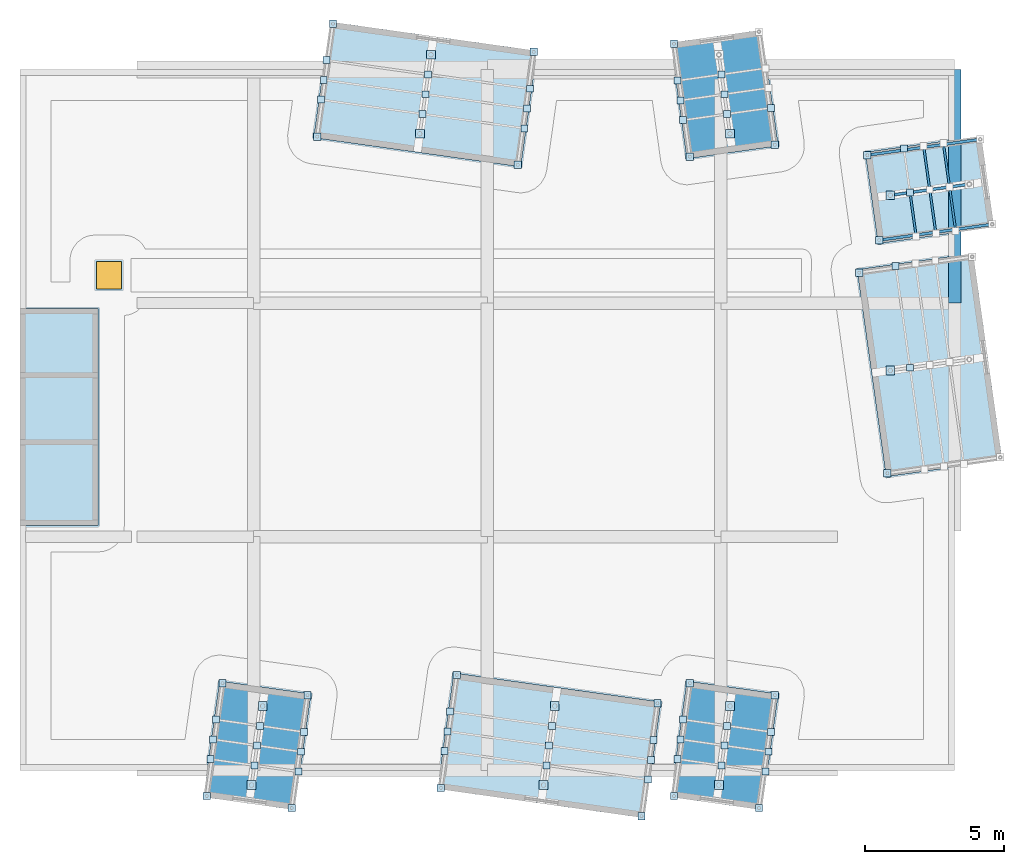
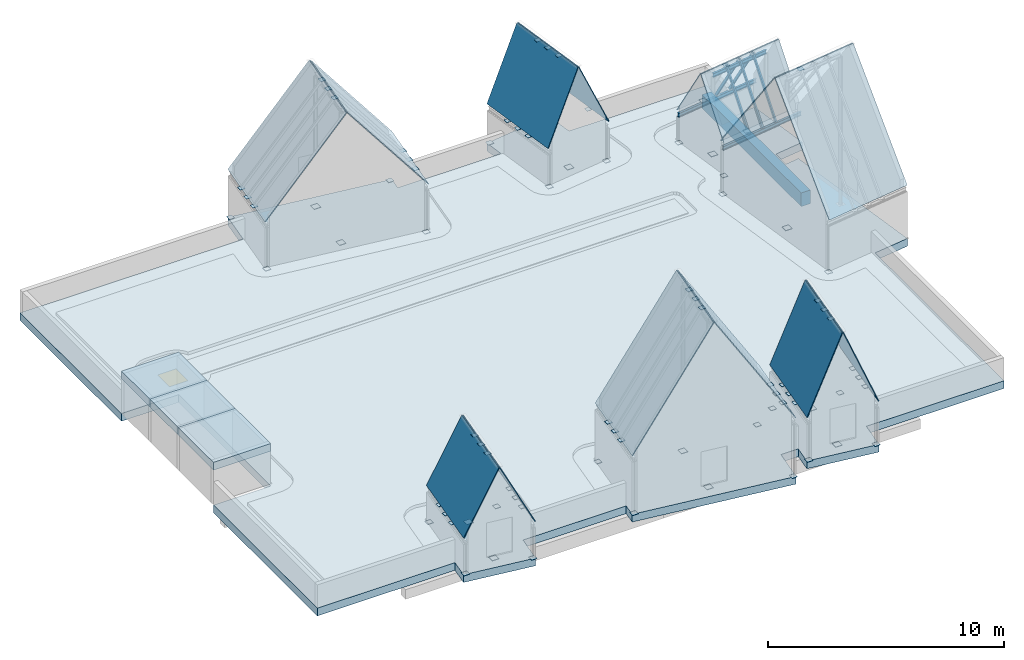
"""IFC4 building model written with IfcOpenShell, lengths in metres."""

from ifc_helpers import new_model, si_unit, direction, frame, origin, origin_2d, place, context, subcontext, project, spatial, polyline, rectangle, hollow_rectangle, i_section, outline, extrude, material, layer, layer_set, material_profile, profile_set, type_object, element, fill, save


model = new_model("IFC4")

# Units and contexts
model_context = context("Model", 3, precision=1e-05, world=origin(), true_north=direction((0.0, 1.0)))
body_context = subcontext(model_context, "Body", "Model", "MODEL_VIEW")
ifc_project = project(units=[si_unit("LENGTHUNIT", "METRE"), si_unit("AREAUNIT", "SQUARE_METRE"), si_unit("VOLUMEUNIT", "CUBIC_METRE"), si_unit("PLANEANGLEUNIT", "RADIAN"), si_unit("MASSUNIT", "GRAM", prefix="KILO")], contexts=[model_context])

# Site, building, storey
site_placement = place(None, origin())
site = spatial("IfcSite", under=ifc_project, at=site_placement, CompositionType="ELEMENT")
building_placement = place(site_placement, origin())
building = spatial("IfcBuilding", under=site, at=building_placement, Name="Kiln Court Media Centre", CompositionType="ELEMENT")
storey_1_placement = place(building_placement, frame((0.0, 0.0, 42.60009765625)))
storey_1 = spatial("IfcBuildingStorey", under=building, at=storey_1_placement, Name="ROOF", CompositionType="ELEMENT", Elevation=42.60009765625)

# Beam
ifc_material_1 = material(Name="Concrete C30/37", Category="concrete")
ifc_material_profile_1 = material_profile(ifc_material_1, rectangle(XDim=0.449951171875, YDim=0.699951171875, at=origin_2d()), Name="RC 450x700")
ifc_profile_set_1 = profile_set([ifc_material_profile_1], Name="Concrete C30/37")
beam_type_1 = type_object("IfcBeamType", Name="Concrete C30/37 beam 450x700", PredefinedType="BEAM", material=ifc_profile_set_1)
beam_1_placement = place(storey_1_placement, frame((33.60009765625, 16.800048828125, -0.75), z_axis=(0.0, 1.0, 0.0), x_axis=(-1.0, 0.0, 0.0)))
element("IfcBeam", 1, at=beam_1_placement, inside=storey_1, type_object=beam_type_1, Name="ROOF-B-1010", PredefinedType="BEAM", context=body_context, shape_type="SweptSolid", body=[
    extrude(rectangle(XDim=0.449951171875, YDim=0.699951171875, at=origin_2d()), origin(), (0.0, 0.0, 1.0), 8.39990234375),
])

# Members
ifc_material_2 = material(Name="Steel ASTM A500 Gr C", Category="steel")
ifc_material_profile_2 = material_profile(ifc_material_2, hollow_rectangle(XDim=0.080078125, YDim=0.1201171875, WallThickness=0.00634765625, at=origin_2d()), Name="RHS 120x80x6.3")
ifc_profile_set_2 = profile_set([ifc_material_profile_2], Name="Steel ASTM A500 Gr C")
member_type = type_object("IfcMemberType", Name="Steel ASTM A500 Gr C RHS 120x80x6.3 crown rafter", PredefinedType="BRACE", material=ifc_profile_set_2)
for number, where, z_axis, x_axis, name in (
    (2, (32.22021484375, 19.196044921875, 1.580322265625), (-0.070356063705, 0.500541984576, 0.862848622863), (-0.990265485025, -0.139191483824, 0.0), "crown form 5 rafter 1 crown rafter"),
    (3, (32.9306640625, 19.2958984375, 1.580322265625), (-0.070356063705, 0.500541984576, 0.862848622863), (-0.990265485025, -0.139191483824, 0.0), "crown form 5 rafter 2 crown rafter"),
    (4, (32.48681640625, 22.45361328125, 1.580322265625), (0.070356063705, -0.500541984576, 0.862848622863), (0.990265485025, 0.139191483824, 0.0), "crown form 5 rafter 2 crown rafter"),
    (5, (33.64111328125, 19.395751953125, 1.580322265625), (-0.070356063705, 0.500541984576, 0.862848622863), (-0.990265485025, -0.139191483824, 0.0), "crown form 5 rafter 3 crown rafter"),
    (6, (33.197509765625, 22.553466796875, 1.580322265625), (0.070279046791, -0.500544708809, 0.862853318974), (0.990286580437, 0.139041319783, 0.0), "crown form 5 rafter 3 crown rafter"),
):
    element("IfcMember", number, at=place(storey_1_placement, frame(where, z_axis=z_axis, x_axis=x_axis)), inside=storey_1, type_object=member_type, Name=name, PredefinedType="BRACE", context=body_context, shape_type="SweptSolid", body=[
        extrude(hollow_rectangle(XDim=0.080078125, YDim=0.1201171875, WallThickness=0.00634765625, at=origin_2d()), origin(), (0.0, 0.0, 1.0), 3.154296875),
    ])

# Beams
ifc_material_3 = material(Name="Steel ASTM A572 Gr 50", Category="steel")
ifc_material_profile_3 = material_profile(ifc_material_3, i_section(OverallWidth=0.10009765625, OverallDepth=0.199951171875, WebThickness=0.005615234375, FlangeThickness=0.008544921875, FilletRadius=0.011962890625, at=origin_2d()), Name="IPE 200")
ifc_profile_set_3 = profile_set([ifc_material_profile_3], Name="Steel ASTM A572 Gr 50")
beam_type_2 = type_object("IfcBeamType", Name="Steel ASTM A572 Gr 50 IPE 200 crown eaves beam", PredefinedType="JOIST", material=ifc_profile_set_3)
for number, where, z_axis, x_axis, name in (
    (7, (30.843994140625, 19.054931640625, 1.449951171875), (0.990268974986, 0.139166652546, 0.0), (-0.139166652546, 0.990268974986, 0.0), "crown form 5 eaves beam crown eaves beam"),
    (8, (30.41455078125, 22.110107421875, 1.449951171875), (0.990268974986, 0.139166652546, 0.0), (-0.139166652546, 0.990268974986, 0.0), "crown form 5 eaves beam crown eaves beam"),
):
    element("IfcBeam", number, at=place(storey_1_placement, frame(where, z_axis=z_axis, x_axis=x_axis)), inside=storey_1, type_object=beam_type_2, Name=name, PredefinedType="JOIST", context=body_context, shape_type="SweptSolid", body=[
        extrude(i_section(OverallWidth=0.10009765625, OverallDepth=0.199951171875, WebThickness=0.005615234375, FlangeThickness=0.008544921875, FilletRadius=0.011962890625, at=origin_2d()), origin(), (0.0, 0.0, 1.0), 4.19970703125),
    ])
ifc_material_4 = material(Name="Steel ASTM A572 Gr 50", Category="steel")
ifc_material_profile_4 = material_profile(ifc_material_4, i_section(OverallWidth=0.10009765625, OverallDepth=0.199951171875, WebThickness=0.005615234375, FlangeThickness=0.008544921875, FilletRadius=0.011962890625, at=origin_2d()), Name="IPE 200")
ifc_profile_set_4 = profile_set([ifc_material_profile_4], Name="Steel ASTM A572 Gr 50")
beam_type_3 = type_object("IfcBeamType", Name="Steel ASTM A572 Gr 50 IPE 200 crown ridge beam", PredefinedType="BEAM", material=ifc_profile_set_4)
beam_2_placement = place(storey_1_placement, frame((31.28759765625, 20.675048828125, 4.083251953125), z_axis=(0.990270136519, 0.139158387163, 0.0), x_axis=(-0.139158387163, 0.990270136519, 0.0)))
element("IfcBeam", 9, at=beam_2_placement, inside=storey_1, type_object=beam_type_3, Name="crown form 5 ridge beam crown ridge beam", PredefinedType="BEAM", context=body_context, shape_type="SweptSolid", body=[
    extrude(i_section(OverallWidth=0.10009765625, OverallDepth=0.199951171875, WebThickness=0.005615234375, FlangeThickness=0.008544921875, FilletRadius=0.011962890625, at=origin_2d()), origin(), (0.0, 0.0, 1.0), 2.8701171875),
])

# Slab, opening
ifc_material_5 = material(Name="Concrete C30/37", Category="concrete")
ifc_layer_1 = layer(ifc_material_5, 0.39990234375)
ifc_layer_set_1 = layer_set([ifc_layer_1], Name="Concrete C30/37 roof slab 400")
slab_type_1 = type_object("IfcSlabType", Name="Concrete C30/37 roof slab 400", PredefinedType="ROOF", material=ifc_layer_set_1)
slab_1_placement = place(storey_1_placement, frame((0.0, 0.0, -0.400146484375)))
slab_1 = element("IfcSlab", 10, at=slab_1_placement, inside=storey_1, type_object=slab_type_1, Name="ROOF-SL-1000", PredefinedType="ROOF", context=body_context, shape_type="SweptSolid", body=[
    extrude(outline(polyline([(22.446533203125, -1.710693359375), (15.019287109375, -0.6669921875), (15.112548828125, 0.0), (10.066650390625, 0.0), (9.866943359375, -1.41845703125), (6.598876953125, -0.958984375), (6.7333984375, 0.0), (0.0, 0.0), (0.0, 8.800048828125), (2.800048828125, 8.800048828125), (2.800048828125, 16.60009765625), (0.0, 16.60009765625), (0.0, 25.199951171875), (10.91259765625, 25.199951171875), (11.153564453125, 26.91064453125), (18.58056640625, 25.866943359375), (18.4873046875, 25.199951171875), (23.533203125, 25.199951171875), (23.39892578125, 26.1591796875), (26.6669921875, 26.618408203125), (26.86669921875, 25.199951171875), (33.60009765625, 25.199951171875), (33.60009765625, 22.666748046875), (34.55908203125, 22.801025390625), (35.0185546875, 19.533203125), (33.60009765625, 19.333251953125), (33.60009765625, 18.4873046875), (34.266845703125, 18.58056640625), (35.310791015625, 11.153564453125), (33.60009765625, 10.91259765625), (33.60009765625, 0.0), (26.86669921875, 0.0), (26.6669921875, -1.41845703125), (23.39892578125, -0.959228515625), (23.533203125, 0.0), (22.6875, 0.0), (22.446533203125, -1.710693359375)]), holes=[polyline([(2.75, 17.300048828125), (3.64990234375, 17.300048828125), (3.64990234375, 18.300048828125), (2.75, 18.300048828125), (2.75, 17.300048828125)])]), origin(), (0.0, 0.0, 1.0), 0.400146484375),
])
opening_placement = place(slab_1_placement, frame((3.199951171875, 17.800048828125, 0.0)))
opening = element("IfcOpeningElement", 11, at=opening_placement, cuts=slab_1, Name="Opening D9600", PredefinedType="OPENING", context=body_context, shape_type="SweptSolid", body=[
    extrude(rectangle(XDim=0.89990234375, YDim=1.0, at=origin_2d()), frame((0.0, 0.0, -0.010009765625)), (0.0, 0.0, 1.0), 0.420166015625),
])

# Storey
storey_2_placement = place(building_placement, frame((0.0, 0.0, 38.10009765625)))
storey_2 = spatial("IfcBuildingStorey", under=building, at=storey_2_placement, Name="L08", CompositionType="ELEMENT", Elevation=38.10009765625)

# Door
ifc_material_6 = material(Name="Steel ASTM A572 Gr 50", Category="steel")
door_type = type_object("IfcDoorType", Name="Steel ASTM A572 Gr 50 roof access hatch 900x1000", OperationType="SINGLE_SWING_LEFT", PredefinedType="TRAPDOOR", material=ifc_material_6)
door_placement = place(opening_placement, frame((0.0, 0.0, 0.35009765625)))
door = element("IfcDoor", 12, at=door_placement, inside=storey_2, type_object=door_type, Name="DH roof access hatch D9600", OperationType="SINGLE_SWING_LEFT", OverallHeight=1.0, OverallWidth=0.89990234375, PredefinedType="TRAPDOOR", context=body_context, shape_type="SweptSolid", body=[
    extrude(rectangle(XDim=0.89990234375, YDim=1.0, at=origin_2d()), origin(), (0.0, 0.0, 1.0), 0.050048828125),
])

fill(opening, door)

# Slabs
slab_2_placement = place(storey_1_placement, frame((0.0, 0.0, 1.7998046875)))
element("IfcSlab", 13, at=slab_2_placement, inside=storey_1, type_object=slab_type_1, Name="ROOF-SL-1001", PredefinedType="ROOF", context=body_context, shape_type="SweptSolid", body=[
    extrude(outline(polyline([(0.0, 8.800048828125), (0.0, 11.800048828125), (2.800048828125, 11.800048828125), (2.800048828125, 8.800048828125), (0.0, 8.800048828125)])), origin(), (0.0, 0.0, 1.0), 0.400146484375),
])
slab_3_placement = place(storey_1_placement, frame((0.0, 0.0, 1.7998046875)))
element("IfcSlab", 14, at=slab_3_placement, inside=storey_1, type_object=slab_type_1, Name="ROOF-SL-1002", PredefinedType="ROOF", context=body_context, shape_type="SweptSolid", body=[
    extrude(outline(polyline([(0.0, 11.800048828125), (0.0, 14.199951171875), (2.800048828125, 14.199951171875), (2.800048828125, 11.800048828125), (0.0, 11.800048828125)])), origin(), (0.0, 0.0, 1.0), 0.400146484375),
])
slab_4_placement = place(storey_1_placement, frame((0.0, 0.0, 1.7998046875)))
element("IfcSlab", 15, at=slab_4_placement, inside=storey_1, type_object=slab_type_1, Name="ROOF-SL-1003", PredefinedType="ROOF", context=body_context, shape_type="SweptSolid", body=[
    extrude(outline(polyline([(0.0, 14.199951171875), (0.0, 16.60009765625), (2.800048828125, 16.60009765625), (2.800048828125, 14.199951171875), (0.0, 14.199951171875)])), origin(), (0.0, 0.0, 1.0), 0.400146484375),
])
ifc_material_7 = material(Name="Standing seam metal roofing")
ifc_layer_2 = layer(ifc_material_7, 0.0400390625)
ifc_layer_set_2 = layer_set([ifc_layer_2], Name="Standing seam roofing panel 40")
slab_type_2 = type_object("IfcSlabType", Name="Standing seam roofing panel 40", PredefinedType="ROOF", material=ifc_layer_set_2)
slab_5_placement = place(storey_1_placement, frame((7.18359375, 3.200439453125, 1.894287109375), z_axis=(-0.884690452368, 0.124321961902, 0.449295952883), x_axis=(-0.139158641769, -0.990270100741, 0.0)))
element("IfcSlab", 16, at=slab_5_placement, inside=storey_1, type_object=slab_type_2, Name="CROWN-1 roofing panel", PredefinedType="ROOF", context=body_context, shape_type="SweptSolid", body=[
    extrude(outline(polyline([(0.0, 0.0), (4.200045709134191, 0.0), (4.200040060945989, 3.5924936254502597), (-5.648188201570175e-06, 3.5924936254502597), (0.0, 0.0)])), origin(), (0.0, 0.0, -1.0), 0.0400390625),
])
slab_6_placement = place(storey_1_placement, frame((10.451416015625, 2.7412109375, 1.894287109375), z_axis=(0.884663701715, -0.124318202742, 0.449349662662), x_axis=(-0.139158641769, -0.990270100741, 0.0)))
element("IfcSlab", 17, at=slab_6_placement, inside=storey_1, type_object=slab_type_2, Name="CROWN-1 roofing panel", PredefinedType="ROOF", context=body_context, shape_type="SweptSolid", body=[
    extrude(outline(polyline([(0.0, 0.0), (4.200045709134191, 0.0), (4.200085331600168, -3.5926022560514603), (3.962246597717042e-05, -3.5926022560514603), (0.0, 0.0)])), origin(), (0.0, 0.0, -1.0), 0.0400390625),
])
slab_7_placement = place(storey_1_placement, frame((15.60400390625, 3.49267578125, 3.029541015625), z_axis=(-0.838581546822, 0.117842464375, 0.531877939869), x_axis=(-0.139158641769, -0.990270100741, 0.0)))
element("IfcSlab", 18, at=slab_7_placement, inside=storey_1, type_object=slab_type_2, Name="CROWN-2 roofing panel", PredefinedType="ROOF", context=body_context, shape_type="SweptSolid", body=[
    extrude(outline(polyline([(0.0, 0.0), (4.200045709134191, 0.0), (4.200010031885098, 6.986722926922254), (-3.567724909254795e-05, 6.986722926922254), (0.0, 0.0)])), origin(), (0.0, 0.0, -1.0), 0.0400390625),
])
slab_8_placement = place(storey_1_placement, frame((23.031005859375, 2.448974609375, 3.029541015625), z_axis=(0.838581546822, -0.117842464375, 0.531877939869), x_axis=(-0.139158641769, -0.990270100741, 0.0)))
element("IfcSlab", 19, at=slab_8_placement, inside=storey_1, type_object=slab_type_2, Name="CROWN-2 roofing panel", PredefinedType="ROOF", context=body_context, shape_type="SweptSolid", body=[
    extrude(outline(polyline([(0.0, 0.0), (4.200045709134191, 0.0), (4.2000813863832835, -6.986722926922254), (3.567724909254795e-05, -6.986722926922254), (0.0, 0.0)])), origin(), (0.0, 0.0, -1.0), 0.0400390625),
])
slab_9_placement = place(storey_1_placement, frame((23.983642578125, 3.200439453125, 2.25), z_axis=(-0.917073707353, 0.128899565171, 0.377307192325), x_axis=(-0.13919120019, -0.990265524841, -1.0056616e-05)))
element("IfcSlab", 20, at=slab_9_placement, inside=storey_1, type_object=slab_type_2, Name="CROWN-3 roofing panel", PredefinedType="ROOF", context=body_context, shape_type="SweptSolid", body=[
    extrude(outline(polyline([(0.0, 0.0), (4.2000796888783105, 0.0), (4.199875322766056, 4.274999699739221), (-0.0001703838856451472, 4.274908480742995), (0.0, 0.0)])), origin(), (0.0, 0.0, -1.0), 0.0400390625),
])
slab_10_placement = place(storey_1_placement, frame((27.25146484375, 2.7412109375, 2.25), z_axis=(0.917073707353, -0.128899565171, 0.377307192325), x_axis=(-0.139183085382, -0.99026666542, -1.0056697e-05)))
element("IfcSlab", 21, at=slab_10_placement, inside=storey_1, type_object=slab_type_2, Name="CROWN-3 roofing panel", PredefinedType="ROOF", context=body_context, shape_type="SweptSolid", body=[
    extrude(outline(polyline([(0.0, 0.0), (4.200045707642274, 0.0), (4.20015722686456, -4.27499970316951), (7.753897683139164e-05, -4.274908483435261), (0.0, 0.0)])), origin(), (0.0, 0.0, -1.0), 0.0400390625),
])
slab_11_placement = place(storey_1_placement, frame((31.151123046875, 10.569091796875, 2.75537109375), z_axis=(0.113938481225, -0.810631015302, 0.574365197001), x_axis=(0.9902674166, 0.139177740449, -1.3532168e-05)))
element("IfcSlab", 22, at=slab_11_placement, inside=storey_1, type_object=slab_type_2, Name="CROWN-4 roofing panel", PredefinedType="ROOF", context=body_context, shape_type="SweptSolid", body=[
    extrude(outline(polyline([(0.0, 0.0), (4.200045707968503, 5.551115123125783e-17), (4.200009493776527, 6.471919977600602), (-7.019313251525735e-05, 6.471781116106057), (0.0, 0.0)])), origin(), (0.0, 0.0, -1.0), 0.0400390625),
])
slab_12_placement = place(storey_1_placement, frame((30.107421875, 17.99609375, 2.75537109375), z_axis=(-0.113917378624, 0.810626359042, 0.574375954297), x_axis=(0.990269352182, 0.139163968489, -1.901811e-06)))
element("IfcSlab", 23, at=slab_12_placement, inside=storey_1, type_object=slab_type_2, Name="CROWN-4 roofing panel", PredefinedType="ROOF", context=body_context, shape_type="SweptSolid", body=[
    extrude(outline(polyline([(0.0, 0.0), (4.199803944087273, 5.551115123125783e-17), (4.199810089375221, -6.471919978440555), (-0.00023561969061170897, -6.471900463308997), (0.0, 0.0)])), origin(), (0.0, 0.0, -1.0), 0.0400390625),
])
slab_13_placement = place(storey_1_placement, frame((30.85888671875, 18.948486328125, 1.682861328125), z_axis=(0.120101826089, -0.854480981102, 0.505408551872), x_axis=(0.990265071815, 0.139194422966, 1.2551554e-05)))
element("IfcSlab", 24, at=slab_13_placement, inside=storey_1, type_object=slab_type_2, Name="CROWN-5 roofing panel", PredefinedType="ROOF", context=body_context, shape_type="SweptSolid", body=[
    extrude(outline(polyline([(0.0, 0.0), (4.200079689075013, 5.551115123125783e-17), (4.2001064280987865, 3.1962768461723705), (6.0722037193022e-05, 3.1963990353638865), (0.0, 0.0)])), origin(), (0.0, 0.0, -1.0), 0.0400390625),
])
slab_14_placement = place(storey_1_placement, frame((30.399658203125, 22.21630859375, 1.682861328125), z_axis=(-0.12010873979, 0.85448000932, 0.505408551865), x_axis=(0.990263945487, 0.139202435721, -1.2552263e-05)))
element("IfcSlab", 25, at=slab_14_placement, inside=storey_1, type_object=slab_type_2, Name="CROWN-5 roofing panel", PredefinedType="ROOF", context=body_context, shape_type="SweptSolid", body=[
    extrude(outline(polyline([(0.0, 0.0), (4.199837926007186, -5.551115123125783e-17), (4.199764129523031, -3.196399035088776), (-3.9811514495678675e-05, -3.196276846036282), (0.0, 0.0)])), origin(), (0.0, 0.0, -1.0), 0.0400390625),
])
slab_15_placement = place(storey_1_placement, frame((10.569091796875, 22.751220703125, 2.481689453125), z_axis=(-0.775238346716, 0.108947496451, 0.622202498226), x_axis=(0.139166652546, 0.990268974986, 0.0)))
element("IfcSlab", 26, at=slab_15_placement, inside=storey_1, type_object=slab_type_2, Name="CROWN-6 roofing panel", PredefinedType="ROOF", context=body_context, shape_type="SweptSolid", body=[
    extrude(outline(polyline([(0.0, 0.0), (4.199803944110295, 5.551115123125783e-17), (4.199725915149578, -5.976461695888597), (-7.802896071729126e-05, -5.976461695888597), (0.0, 0.0)])), origin(), (0.0, 0.0, -1.0), 0.0400390625),
])
slab_16_placement = place(storey_1_placement, frame((17.99609375, 21.707275390625, 2.481689453125), z_axis=(0.775219715497, -0.108938483147, 0.622227289336), x_axis=(0.139158641769, 0.990270100741, 0.0)))
element("IfcSlab", 27, at=slab_16_placement, inside=storey_1, type_object=slab_type_2, Name="CROWN-6 roofing panel", PredefinedType="ROOF", context=body_context, shape_type="SweptSolid", body=[
    extrude(outline(polyline([(0.0, 0.0), (4.200045709134191, -5.551115123125783e-17), (4.200119845152194, 5.976612125304345), (7.413601800332348e-05, 5.976612125304346), (0.0, 0.0)])), origin(), (0.0, 0.0, -1.0), 0.0400390625),
])
slab_17_placement = place(storey_1_placement, frame((23.983642578125, 21.99951171875, 2.037109375), z_axis=(-0.899677738195, -0.1264544696, 0.41783876617), x_axis=(-0.139192118725, 0.990265395722, -1.0925674e-05)))
element("IfcSlab", 28, at=slab_17_placement, inside=storey_1, type_object=slab_type_2, Name="CROWN-7 roofing panel", PredefinedType="ROOF", context=body_context, shape_type="SweptSolid", body=[
    extrude(outline(polyline([(0.0, 0.0), (4.200079688934373, 0.0), (4.200015121332681, -3.86213878349698), (-3.0585150831275976e-05, -3.862037765457544), (0.0, 0.0)])), origin(), (0.0, 0.0, -1.0), 0.0400390625),
])
slab_18_placement = place(storey_1_placement, frame((27.25146484375, 22.458740234375, 2.037109375), z_axis=(0.899694285509, 0.126434100526, 0.417809299617), x_axis=(-0.139161947864, 0.990269636142, -1.535318e-06)))
element("IfcSlab", 29, at=slab_18_placement, inside=storey_1, type_object=slab_type_2, Name="CROWN-7 roofing panel", PredefinedType="ROOF", context=body_context, shape_type="SweptSolid", body=[
    extrude(outline(polyline([(0.0, 0.0), (4.200045709105834, 5.551115123125783e-17), (4.199983408795198, 3.8620377666068357), (0.0001794647372506893, 3.862023571837633), (0.0, 0.0)])), origin(), (0.0, 0.0, -1.0), 0.0400390625),
])

# Plates
ifc_material_8 = material(Name="Steel ASTM A572 Gr 50", Category="steel")
ifc_layer_3 = layer(ifc_material_8, 0.010009765625)
ifc_layer_set_3 = layer_set([ifc_layer_3], Name="Steel ASTM A572 Gr 50 250x250x10 connection plate CR")
plate_type_1 = type_object("IfcPlateType", Name="Steel ASTM A572 Gr 50 250x250x10 connection plate CR", PredefinedType="USERDEFINED", material=ifc_layer_set_3)
for number, where, z_axis, x_axis, name in (
    (30, (6.8447265625, 0.40283203125, 1.77392578125), (0.0, 0.0, 1.0), (1.0, 0.0, 0.0), "CR node connection plate"),
    (31, (6.944580078125, 1.11328125, 1.77392578125), (0.0, 0.0, 1.0), (1.0, 0.0, 0.0), "CR node connection plate"),
    (32, (7.04443359375, 1.823974609375, 1.77392578125), (0.0, 0.0, 1.0), (1.0, 0.0, 0.0), "CR node connection plate"),
    (33, (8.42529296875, 0.1806640625, 4.947265625), (0.0, 0.0, 1.0), (1.0, 0.0, 0.0), "CR node connection plate"),
    (34, (8.525390625, 0.89111328125, 4.947265625), (0.0, 0.0, 1.0), (1.0, 0.0, 0.0), "CR node connection plate"),
    (35, (8.625, 1.601806640625, 4.947265625), (0.0, 0.0, 1.0), (1.0, 0.0, 0.0), "CR node connection plate"),
    (36, (10.006103515625, -0.04150390625, 1.77392578125), (0.0, 0.0, 1.0), (1.0, 0.0, 0.0), "CR node connection plate"),
    (37, (10.105712890625, 0.669189453125, 1.77392578125), (0.0, 0.0, 1.0), (1.0, 0.0, 0.0), "CR node connection plate"),
    (38, (10.205810546875, 1.379638671875, 1.77392578125), (0.0, 0.0, 1.0), (1.0, 0.0, 0.0), "CR node connection plate"),
    (39, (10.8212890625, 24.11181640625, 2.39208984375), (0.0, 0.0, 1.0), (1.0, 0.0, 0.0), "CR node connection plate"),
    (40, (10.921142578125, 24.822265625, 2.39208984375), (0.0, 0.0, 1.0), (1.0, 0.0, 0.0), "CR node connection plate"),
    (41, (11.02099609375, 25.53271484375, 2.39208984375), (0.0, 0.0, 1.0), (1.0, 0.0, 0.0), "CR node connection plate"),
    (42, (14.474853515625, 23.59814453125, 7.0341796875), (0.0, 0.0, 1.0), (1.0, 0.0, 0.0), "CR node connection plate"),
    (43, (14.57470703125, 24.308837890625, 7.0341796875), (0.0, 0.0, 1.0), (1.0, 0.0, 0.0), "CR node connection plate"),
    (44, (14.674560546875, 25.019287109375, 7.0341796875), (0.0, 0.0, 1.0), (1.0, 0.0, 0.0), "CR node connection plate"),
    (45, (15.26806640625, 0.694580078125, 2.9267578125), (0.0, 0.0, 1.0), (1.0, 0.0, 0.0), "CR node connection plate"),
    (46, (15.367919921875, 1.4052734375, 2.9267578125), (0.0, 0.0, 1.0), (1.0, 0.0, 0.0), "CR node connection plate"),
    (47, (15.4677734375, 2.11572265625, 2.9267578125), (0.0, 0.0, 1.0), (1.0, 0.0, 0.0), "CR node connection plate"),
    (48, (18.12841796875, 23.084716796875, 2.39208984375), (0.0, 0.0, 1.0), (1.0, 0.0, 0.0), "CR node connection plate"),
    (49, (18.228271484375, 23.79541015625, 2.39208984375), (0.0, 0.0, 1.0), (1.0, 0.0, 0.0), "CR node connection plate"),
    (50, (18.328125, 24.505859375, 2.39208984375), (0.0, 0.0, 1.0), (1.0, 0.0, 0.0), "CR node connection plate"),
    (51, (18.92529296875, 0.1806640625, 8.80712890625), (0.0, 0.0, 1.0), (1.0, 0.0, 0.0), "CR node connection plate"),
    (52, (19.025390625, 0.89111328125, 8.80712890625), (0.0, 0.0, 1.0), (1.0, 0.0, 0.0), "CR node connection plate"),
    (53, (19.125, 1.601806640625, 8.80712890625), (0.0, 0.0, 1.0), (1.0, 0.0, 0.0), "CR node connection plate"),
    (54, (22.582763671875, -0.333251953125, 2.9267578125), (0.0, 0.0, 1.0), (1.0, 0.0, 0.0), "CR node connection plate"),
    (55, (22.6826171875, 0.377197265625, 2.9267578125), (0.0, 0.0, 1.0), (1.0, 0.0, 0.0), "CR node connection plate"),
    (56, (22.782470703125, 1.087646484375, 2.9267578125), (0.0, 0.0, 1.0), (1.0, 0.0, 0.0), "CR node connection plate"),
    (57, (23.642822265625, 0.403076171875, 2.107421875), (0.0, 0.0, 1.0), (1.0, 0.0, 0.0), "CR node connection plate"),
    (58, (23.643798828125, 24.797119140625, 1.908203125), (0.0, 0.0, 1.0), (1.0, 0.0, 0.0), "CR node connection plate"),
    (59, (23.74267578125, 1.113525390625, 2.107421875), (0.0, 0.0, 1.0), (1.0, 0.0, 0.0), "CR node connection plate"),
    (60, (23.743896484375, 24.08642578125, 1.908203125), (0.0, 0.0, 1.0), (1.0, 0.0, 0.0), "CR node connection plate"),
    (61, (23.842529296875, 1.82421875, 2.107421875), (0.0, 0.0, 1.0), (1.0, 0.0, 0.0), "CR node connection plate"),
    (62, (23.843505859375, 23.3759765625, 1.908203125), (0.0, 0.0, 1.0), (1.0, 0.0, 0.0), "CR node connection plate"),
    (63, (25.225341796875, 0.1806640625, 6.02978515625), (0.0, 0.0, 1.0), (1.0, 0.0, 0.0), "CR node connection plate"),
    (64, (25.225341796875, 25.019287109375, 5.38037109375), (0.0, 0.0, 1.0), (1.0, 0.0, 0.0), "CR node connection plate"),
    (65, (25.3251953125, 0.89111328125, 6.02978515625), (0.0, 0.0, 1.0), (1.0, 0.0, 0.0), "CR node connection plate"),
    (66, (25.3251953125, 24.308837890625, 5.38037109375), (0.0, 0.0, 1.0), (1.0, 0.0, 0.0), "CR node connection plate"),
    (67, (25.425048828125, 1.601806640625, 6.02978515625), (0.0, 0.0, 1.0), (1.0, 0.0, 0.0), "CR node connection plate"),
    (68, (25.425048828125, 23.59814453125, 5.38037109375), (0.0, 0.0, 1.0), (1.0, 0.0, 0.0), "CR node connection plate"),
    (69, (26.807861328125, -0.041748046875, 2.107421875), (0.0, 0.0, 1.0), (1.0, 0.0, 0.0), "CR node connection plate"),
    (70, (26.90771484375, 0.668701171875, 2.107421875), (0.0, 0.0, 1.0), (1.0, 0.0, 0.0), "CR node connection plate"),
    (71, (27.007568359375, 1.37939453125, 2.107421875), (0.0, 0.0, 1.0), (1.0, 0.0, 0.0), "CR node connection plate"),
    (72, (27.006591796875, 23.820556640625, 1.908203125), (0.0, 0.0, 1.0), (1.0, 0.0, 0.0), "CR node connection plate"),
    (73, (31.484619140625, 18.130615234375, 2.6591796875), (0.0, 0.0, 1.0), (1.0, 0.0, 0.0), "CR node connection plate"),
    (74, (31.7763671875, 22.353515625, 1.5751953125), (0.0, 0.0, 1.0), (1.0, 0.0, 0.0), "CR node connection plate"),
    (75, (31.998291015625, 14.474853515625, 7.9208984375), (0.0, 0.0, 1.0), (1.0, 0.0, 0.0), "CR node connection plate"),
    (76, (31.998291015625, 20.77490234375, 4.296875), (0.0, 0.0, 1.0), (1.0, 0.0, 0.0), "CR node connection plate"),
):
    element("IfcPlate", number, at=place(storey_1_placement, frame(where, z_axis=z_axis, x_axis=x_axis)), inside=storey_1, type_object=plate_type_1, Name=name, ObjectType="CONNECTION PLATE", PredefinedType="USERDEFINED", context=body_context, shape_type="SweptSolid", body=[
        extrude(rectangle(XDim=0.25, YDim=0.25, at=origin_2d()), origin(), (0.0, 0.0, 1.0), 0.010009765625),
    ])
ifc_material_9 = material(Name="Steel ASTM A572 Gr 50", Category="steel")
ifc_layer_4 = layer(ifc_material_9, 0.010009765625)
ifc_layer_set_4 = layer_set([ifc_layer_4], Name="Steel ASTM A572 Gr 50 264x264x10 connection plate")
plate_type_2 = type_object("IfcPlateType", Name="Steel ASTM A572 Gr 50 264x264x10 connection plate", PredefinedType="USERDEFINED", material=ifc_layer_set_4)
for number, where, z_axis, x_axis, name in (
    (77, (7.283203125, 3.135986328125, -0.001953125), (0.0, 0.0, 1.0), (1.0, 0.0, 0.0), "crown form 1 eaves post base connection plate"),
    (78, (6.71240234375, -0.924072265625, -0.001953125), (0.0, 0.0, 1.0), (1.0, 0.0, 0.0), "crown form 1 eaves post base connection plate"),
    (79, (10.337890625, 2.70654296875, -0.001953125), (0.0, 0.0, 1.0), (1.0, 0.0, 0.0), "crown form 1 eaves post base connection plate"),
    (80, (9.767333984375, -1.353515625, -0.001953125), (0.0, 0.0, 1.0), (1.0, 0.0, 0.0), "crown form 1 eaves post base connection plate"),
    (81, (15.70361328125, 3.42822265625, -0.001953125), (0.0, 0.0, 1.0), (1.0, 0.0, 0.0), "crown form 2 eaves post base connection plate"),
    (82, (15.1328125, -0.6318359375, -0.001953125), (0.0, 0.0, 1.0), (1.0, 0.0, 0.0), "crown form 2 eaves post base connection plate"),
    (83, (22.91748046875, 2.414306640625, -0.001953125), (0.0, 0.0, 1.0), (1.0, 0.0, 0.0), "crown form 2 eaves post base connection plate"),
    (84, (22.346923828125, -1.645751953125, -0.001953125), (0.0, 0.0, 1.0), (1.0, 0.0, 0.0), "crown form 2 eaves post base connection plate"),
    (85, (24.0830078125, 3.135986328125, -0.001953125), (0.0, 0.0, 1.0), (1.0, 0.0, 0.0), "crown form 3 eaves post base connection plate"),
    (86, (23.512451171875, -0.924072265625, -0.001953125), (0.0, 0.0, 1.0), (1.0, 0.0, 0.0), "crown form 3 eaves post base connection plate"),
    (87, (27.137939453125, 2.70654296875, -0.001953125), (0.0, 0.0, 1.0), (1.0, 0.0, 0.0), "crown form 3 eaves post base connection plate"),
    (88, (26.5673828125, -1.353515625, -0.001953125), (0.0, 0.0, 1.0), (1.0, 0.0, 0.0), "crown form 3 eaves post base connection plate"),
    (89, (31.185546875, 10.682373046875, -0.001953125), (0.0, 0.0, 1.0), (1.0, 0.0, 0.0), "crown form 4 eaves post base connection plate"),
    (90, (30.171875, 17.896484375, -0.001953125), (0.0, 0.0, 1.0), (1.0, 0.0, 0.0), "crown form 4 eaves post base connection plate"),
    (91, (30.893310546875, 19.06201171875, -0.001953125), (0.0, 0.0, 1.0), (1.0, 0.0, 0.0), "crown form 5 eaves post base connection plate"),
    (92, (30.464111328125, 22.116943359375, -0.001953125), (0.0, 0.0, 1.0), (1.0, 0.0, 0.0), "crown form 5 eaves post base connection plate"),
    (93, (10.682373046875, 22.78564453125, -0.001953125), (0.0, 0.0, 1.0), (1.0, 0.0, 0.0), "crown form 6 eaves post base connection plate"),
    (94, (11.2529296875, 26.845703125, -0.001953125), (0.0, 0.0, 1.0), (1.0, 0.0, 0.0), "crown form 6 eaves post base connection plate"),
    (95, (17.896484375, 21.771728515625, -0.001953125), (0.0, 0.0, 1.0), (1.0, 0.0, 0.0), "crown form 6 eaves post base connection plate"),
    (96, (18.467041015625, 25.831787109375, -0.001953125), (0.0, 0.0, 1.0), (1.0, 0.0, 0.0), "crown form 6 eaves post base connection plate"),
    (97, (24.0830078125, 22.06396484375, -0.001953125), (0.0, 0.0, 1.0), (1.0, 0.0, 0.0), "crown form 7 eaves post base connection plate"),
    (98, (23.512451171875, 26.1240234375, -0.001953125), (0.0, 0.0, 1.0), (1.0, 0.0, 0.0), "crown form 7 eaves post base connection plate"),
    (99, (27.137939453125, 22.493408203125, -0.001953125), (0.0, 0.0, 1.0), (1.0, 0.0, 0.0), "crown form 7 eaves post base connection plate"),
):
    element("IfcPlate", number, at=place(storey_1_placement, frame(where, z_axis=z_axis, x_axis=x_axis)), inside=storey_1, type_object=plate_type_2, Name=name, ObjectType="CONNECTION PLATE", PredefinedType="USERDEFINED", context=body_context, shape_type="SweptSolid", body=[
        extrude(rectangle(XDim=0.263916015625, YDim=0.263916015625, at=origin_2d()), origin(), (0.0, 0.0, 1.0), 0.010009765625),
    ])
ifc_material_10 = material(Name="Steel ASTM A572 Gr 50", Category="steel")
ifc_layer_5 = layer(ifc_material_10, 0.010009765625)
ifc_layer_set_5 = layer_set([ifc_layer_5], Name="Steel ASTM A572 Gr 50 318x318x10 connection plate")
plate_type_3 = type_object("IfcPlateType", Name="Steel ASTM A572 Gr 50 318x318x10 connection plate", PredefinedType="USERDEFINED", material=ifc_layer_set_5)
for number, where, z_axis, x_axis, name in (
    (100, (8.72509765625, 2.312255859375, -0.001953125), (0.0, 0.0, 1.0), (1.0, 0.0, 0.0), "crown form 1 ridge post base connection plate"),
    (101, (8.325439453125, -0.52978515625, -0.001953125), (0.0, 0.0, 1.0), (1.0, 0.0, 0.0), "crown form 1 ridge post base connection plate"),
    (102, (19.22509765625, 2.312255859375, -0.001953125), (0.0, 0.0, 1.0), (1.0, 0.0, 0.0), "crown form 2 ridge post base connection plate"),
    (103, (18.825439453125, -0.52978515625, -0.001953125), (0.0, 0.0, 1.0), (1.0, 0.0, 0.0), "crown form 2 ridge post base connection plate"),
    (104, (25.52490234375, 2.312255859375, -0.001953125), (0.0, 0.0, 1.0), (1.0, 0.0, 0.0), "crown form 3 ridge post base connection plate"),
    (105, (25.12548828125, -0.52978515625, -0.001953125), (0.0, 0.0, 1.0), (1.0, 0.0, 0.0), "crown form 3 ridge post base connection plate"),
    (106, (31.28759765625, 14.375, -0.001953125), (0.0, 0.0, 1.0), (1.0, 0.0, 0.0), "crown form 4 ridge post base connection plate"),
    (107, (31.28759765625, 20.675048828125, -0.001953125), (0.0, 0.0, 1.0), (1.0, 0.0, 0.0), "crown form 5 ridge post base connection plate"),
    (108, (14.375, 22.8876953125, -0.001953125), (0.0, 0.0, 1.0), (1.0, 0.0, 0.0), "crown form 6 ridge post base connection plate"),
    (109, (14.7744140625, 25.729736328125, -0.001953125), (0.0, 0.0, 1.0), (1.0, 0.0, 0.0), "crown form 6 ridge post base connection plate"),
    (110, (25.52490234375, 22.8876953125, -0.001953125), (0.0, 0.0, 1.0), (1.0, 0.0, 0.0), "crown form 7 ridge post base connection plate"),
):
    element("IfcPlate", number, at=place(storey_1_placement, frame(where, z_axis=z_axis, x_axis=x_axis)), inside=storey_1, type_object=plate_type_3, Name=name, ObjectType="CONNECTION PLATE", PredefinedType="USERDEFINED", context=body_context, shape_type="SweptSolid", body=[
        extrude(rectangle(XDim=0.318115234375, YDim=0.318115234375, at=origin_2d()), origin(), (0.0, 0.0, 1.0), 0.010009765625),
    ])

save(model, "model.ifc")
